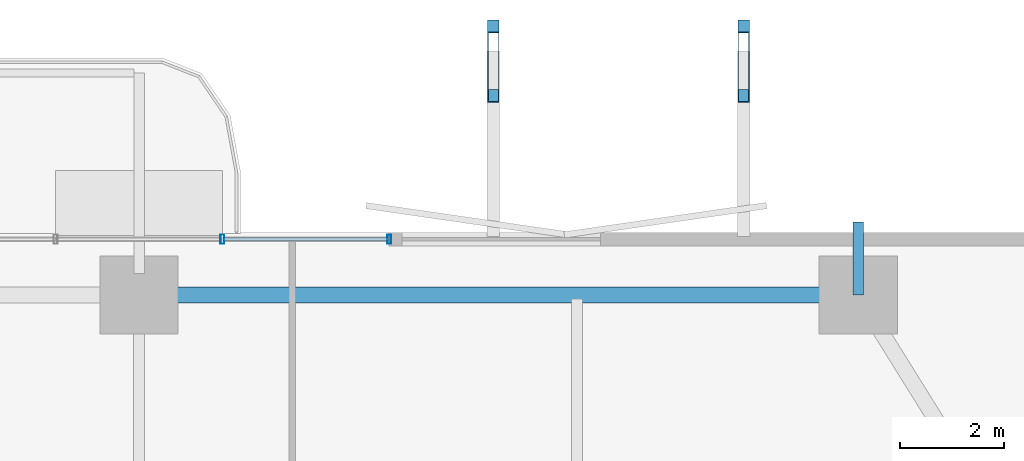
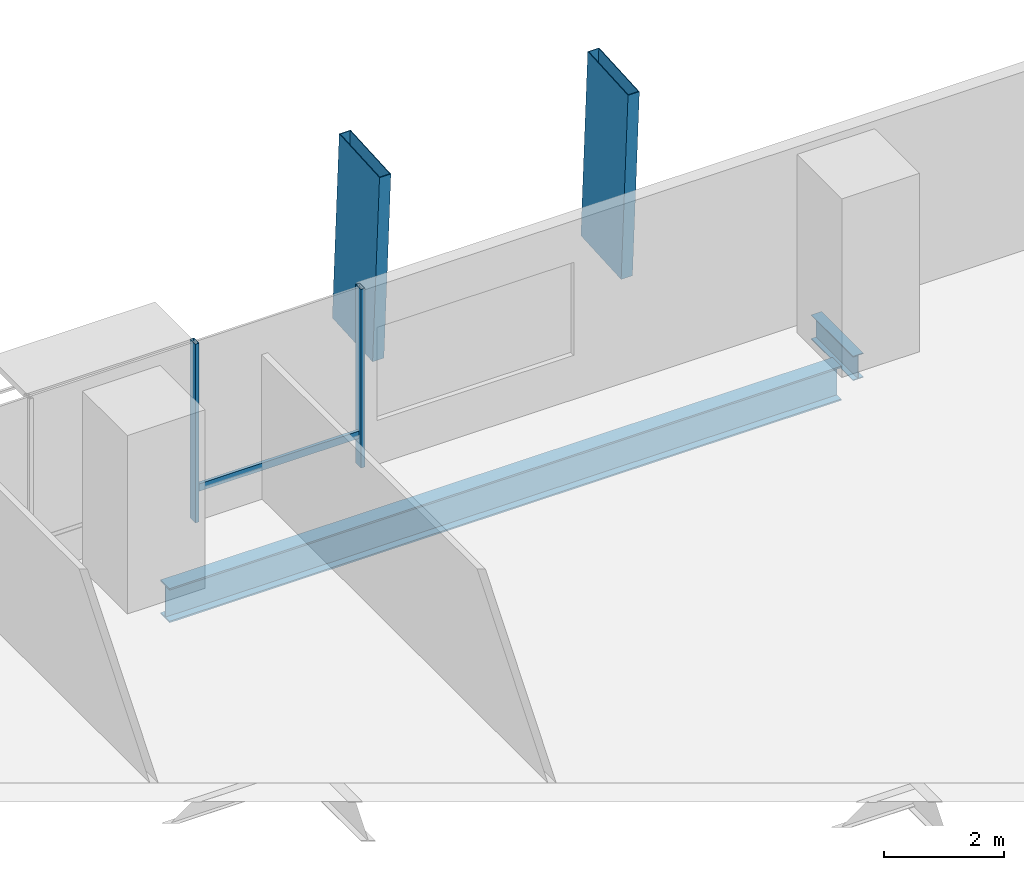
# One storey, part 15 of 24: 5 members, 2 beams, 1 element without a shape of its own.
"""IFC4 building model written with IfcOpenShell, lengths in metres."""

from ifc_helpers import new_model, si_unit, direction, frame, origin, origin_2d, place, context, subcontext, project, spatial, hollow_rectangle, i_section, extrude, material, layer, layer_set, material_profile, profile_set, type_object, element, aggregate, save


model = new_model("IFC4")

# Units and contexts
model_context = context("Model", 3, precision=1e-05, world=origin(), true_north=direction((0.0, 1.0)))
body_context = subcontext(model_context, "Body", "Model", "MODEL_VIEW")
ifc_project = project(units=[si_unit("LENGTHUNIT", "METRE"), si_unit("AREAUNIT", "SQUARE_METRE"), si_unit("VOLUMEUNIT", "CUBIC_METRE"), si_unit("PLANEANGLEUNIT", "RADIAN"), si_unit("MASSUNIT", "GRAM", prefix="KILO")], contexts=[model_context])

# Site, building, storey
site_placement = place(None, origin())
site = spatial("IfcSite", under=ifc_project, at=site_placement, CompositionType="ELEMENT")
building_placement = place(site_placement, origin())
building = spatial("IfcBuilding", under=site, at=building_placement, Name="Belovzor Exchange Tower", CompositionType="ELEMENT")
storey_placement = place(building_placement, frame((0.0, 0.0, 33.89990234375)))
storey = spatial("IfcBuildingStorey", under=building, at=storey_placement, Name="L07", CompositionType="ELEMENT", Elevation=33.89990234375)

# Members
ifc_material_1 = material(Name="Extruded Architectural Terracotta on Steel S355 Carrier", Category="masonry")
ifc_material_profile_1 = material_profile(ifc_material_1, hollow_rectangle(XDim=0.219970703125, YDim=1.35009765625, WallThickness=0.013916015625, at=origin_2d()))
ifc_profile_set_1 = profile_set([ifc_material_profile_1], Name="Extruded Architectural Terracotta on Steel S355 Carrier")
member_type_1 = type_object("IfcMemberType", Name="Base Arc Sweeping Terracotta Pylon Fin 1450", PredefinedType="USERDEFINED", material=ifc_profile_set_1)
for number, where, z_axis, x_axis, name in (
    (1, (35.60009765625, 60.10400390625, -0.25), (0.0, -0.059113970154, 0.998251240186), (1.0, 0.0, 0.0), "FIN-TC145 Terracotta Facade Fin L07 N3"),
    (2, (40.39990234375, 60.10400390625, -0.25), (0.0, -0.059113970154, 0.998251240186), (1.0, 0.0, 0.0), "FIN-TC145 Terracotta Facade Fin L07 N4"),
):
    element("IfcMember", number, at=place(storey_placement, frame(where, z_axis=z_axis, x_axis=x_axis)), inside=storey, type_object=member_type_1, Name=name, ObjectType="FIN", PredefinedType="USERDEFINED", context=body_context, shape_type="SweptSolid", body=[
        extrude(hollow_rectangle(XDim=0.219970703125, YDim=1.35009765625, WallThickness=0.013916015625, at=origin_2d()), origin(), (0.0, 0.0, 1.0), 3.906982421875),
    ])

# Beam
ifc_material_2 = material(Name="Steel S355", Category="steel")
ifc_material_profile_2 = material_profile(ifc_material_2, i_section(OverallWidth=0.199951171875, OverallDepth=0.5, WebThickness=0.01025390625, FlangeThickness=0.01611328125, at=origin_2d()))
ifc_profile_set_2 = profile_set([ifc_material_profile_2], Name="Steel S355")
beam_type_1 = type_object("IfcBeamType", Name="Planted Balcony Cantilever Beam IPE 500", PredefinedType="BEAM", material=ifc_profile_set_2)
beam_1_placement = place(storey_placement, frame((42.60009765625, 55.5, -0.5), z_axis=(0.0, 1.0, 0.0), x_axis=(-1.0, 0.0, 0.0)))
element("IfcBeam", 3, at=beam_1_placement, inside=storey, type_object=beam_type_1, Name="BC-500 Planted Balcony Cantilever Beam IPE 500", PredefinedType="BEAM", context=body_context, shape_type="SweptSolid", body=[
    extrude(i_section(OverallWidth=0.199951171875, OverallDepth=0.5, WebThickness=0.01025390625, FlangeThickness=0.01611328125, at=origin_2d()), origin(), (0.0, 0.0, 1.0), 1.39990234375),
])

# Curtain wall, members
ifc_material_3 = material(Name="Anodised Aluminium Framing", Category="aluminium")
ifc_layer = layer(ifc_material_3, 0.179931640625)
ifc_layer_set = layer_set([ifc_layer], Name="Anodised Aluminium Framing")
curtain_wall_type = type_object("IfcCurtainWallType", Name="Recessed Loggia Low-Iron Triple-Glazed Curtain Wall", PredefinedType="NOTDEFINED", material=ifc_layer_set)
curtain_wall_placement = place(storey_placement, origin())
curtain_wall = element("IfcCurtainWall", 4, at=curtain_wall_placement, inside=storey, type_object=curtain_wall_type, Name="CW3 Recessed Loggia Low-Iron Triple-Glazed Curtain Wall L07", PredefinedType="NOTDEFINED")
ifc_material_4 = material(Name="Steel S355", Category="steel")
ifc_material_profile_3 = material_profile(ifc_material_4, hollow_rectangle(XDim=0.074951171875, YDim=0.179931640625, WallThickness=0.0048828125, at=origin_2d()))
ifc_profile_set_3 = profile_set([ifc_material_profile_3], Name="Steel S355")
member_type_2 = type_object("IfcMemberType", Name="Thermally Broken Curtain Wall Mullion 180x75", PredefinedType="MULLION", material=ifc_profile_set_3)
member_1_placement = place(storey_placement, frame((30.39990234375, 56.570068359375, 0.0), z_axis=(0.0, 0.0, 1.0), x_axis=(1.0, 0.0, 0.0)))
member_1 = element("IfcMember", 5, at=member_1_placement, type_object=member_type_2, Name="CW-M180 Curtain Wall Mullion 3", PredefinedType="MULLION", context=body_context, shape_type="SweptSolid", body=[
    extrude(hollow_rectangle(XDim=0.074951171875, YDim=0.179931640625, WallThickness=0.0048828125, at=origin_2d()), origin(), (0.0, 0.0, 1.0), 3.650146484375),
])
member_2_placement = place(storey_placement, frame((33.60009765625, 56.570068359375, 0.0), z_axis=(0.0, 0.0, 1.0), x_axis=(1.0, 0.0, 0.0)))
member_2 = element("IfcMember", 6, at=member_2_placement, type_object=member_type_2, Name="CW-M180 Curtain Wall Mullion 4", PredefinedType="MULLION", context=body_context, shape_type="SweptSolid", body=[
    extrude(hollow_rectangle(XDim=0.074951171875, YDim=0.179931640625, WallThickness=0.0048828125, at=origin_2d()), origin(), (0.0, 0.0, 1.0), 3.650146484375),
])
ifc_material_5 = material(Name="Steel S355", Category="steel")
ifc_material_profile_4 = material_profile(ifc_material_5, hollow_rectangle(XDim=0.06005859375, YDim=0.14990234375, WallThickness=0.00390625, at=origin_2d()))
ifc_profile_set_4 = profile_set([ifc_material_profile_4], Name="Steel S355")
member_type_3 = type_object("IfcMemberType", Name="Thermally Broken Curtain Wall Transom 150x60", PredefinedType="USERDEFINED", material=ifc_profile_set_4)
member_3_placement = place(storey_placement, frame((30.407958984375, 56.570068359375, 0.650146484375), z_axis=(1.0, 0.0, 0.0), x_axis=(0.0, 1.0, 0.0)))
member_3 = element("IfcMember", 7, at=member_3_placement, type_object=member_type_3, Name="CW-T150 Curtain Wall Transom 3", ObjectType="TRANSOM", PredefinedType="USERDEFINED", context=body_context, shape_type="SweptSolid", body=[
    extrude(hollow_rectangle(XDim=0.06005859375, YDim=0.14990234375, WallThickness=0.00390625, at=origin_2d()), origin(), (0.0, 0.0, 1.0), 3.18408203125),
])
aggregate(curtain_wall, [member_1, member_2, member_3])

# Beam
ifc_material_6 = material(Name="Steel S355", Category="steel")
ifc_material_profile_5 = material_profile(ifc_material_6, i_section(OverallWidth=0.300048828125, OverallDepth=0.699951171875, WebThickness=0.01708984375, FlangeThickness=0.031982421875, at=origin_2d()))
ifc_profile_set_5 = profile_set([ifc_material_profile_5], Name="Steel S355")
beam_type_2 = type_object("IfcBeamType", Name="Zone 1 Primary Perimeter Girder HEB 700", PredefinedType="BEAM", material=ifc_profile_set_5)
beam_2_placement = place(storey_placement, frame((42.18798828125, 55.5, -0.599853515625), z_axis=(-1.0, 0.0, 0.0), x_axis=(0.0, -1.0, 0.0)))
element("IfcBeam", 8, at=beam_2_placement, inside=storey, type_object=beam_type_2, Name="FG-Z1 Zone 1 Primary Perimeter Girder HEB 700", PredefinedType="BEAM", context=body_context, shape_type="SweptSolid", body=[
    extrude(i_section(OverallWidth=0.300048828125, OverallDepth=0.699951171875, WebThickness=0.01708984375, FlangeThickness=0.031982421875, at=origin_2d()), origin(), (0.0, 0.0, 1.0), 12.97509765625),
])

save(model, "model.ifc")
